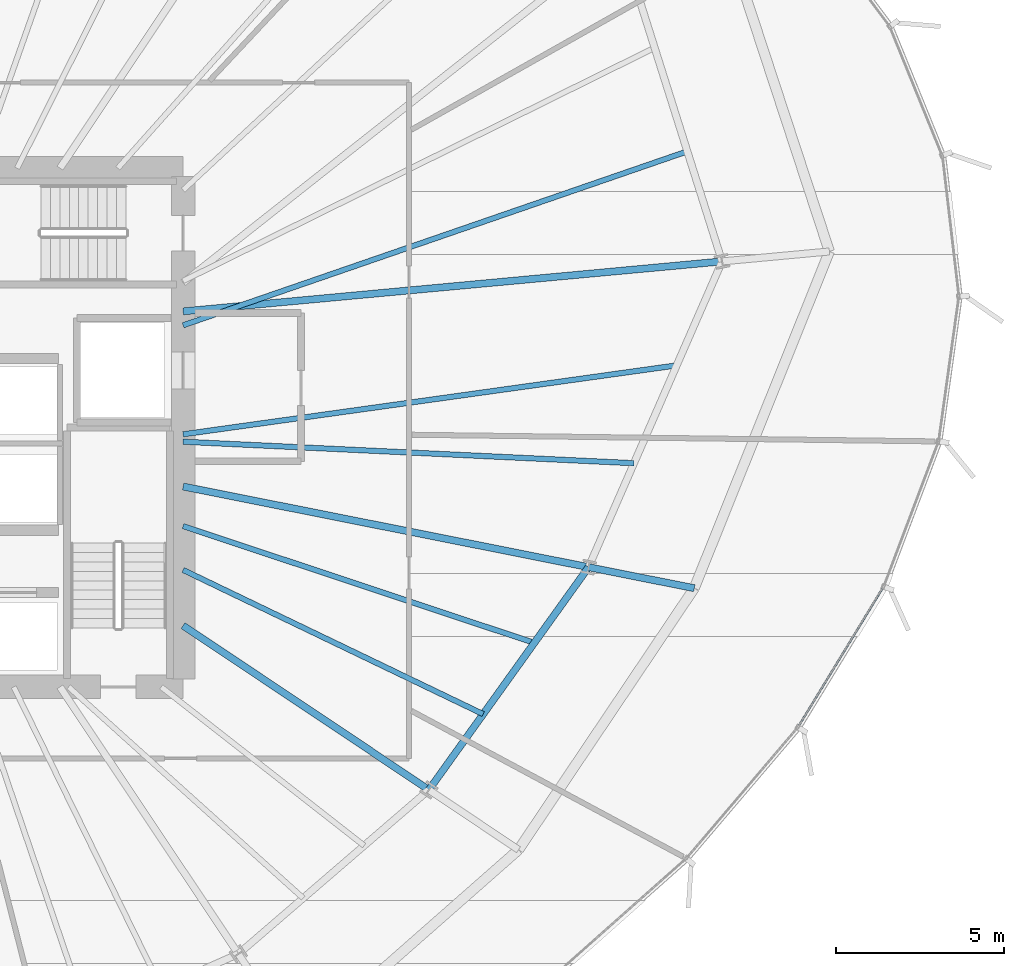
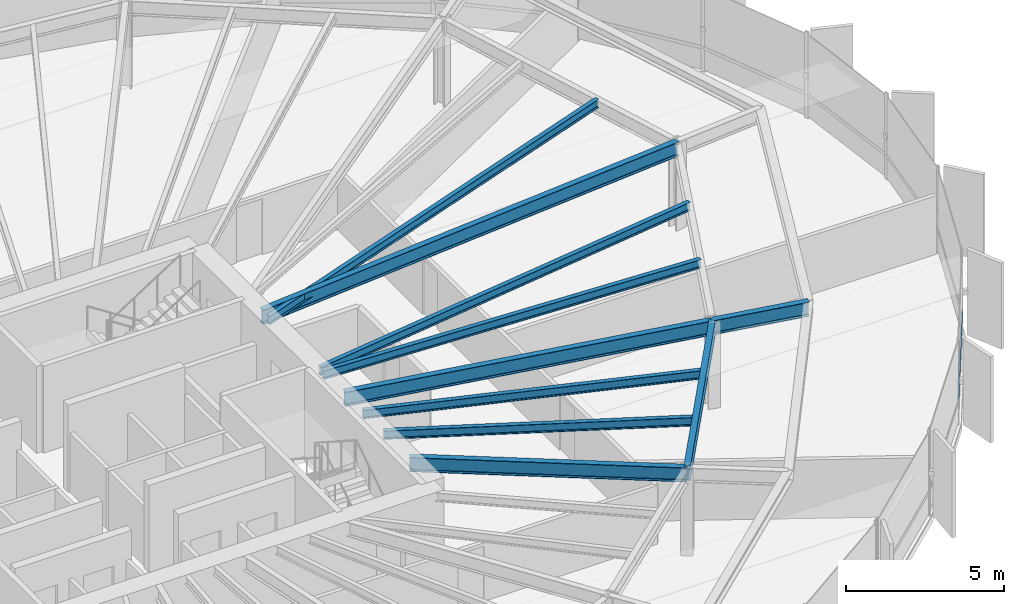
# One storey, part 14 of 35: 10 beams, 1 member, 1 element without a shape of its own.
"""IFC4 building model written with IfcOpenShell, lengths in metres."""

from ifc_helpers import new_model, si_unit, direction, frame, origin, origin_2d, place, context, subcontext, project, spatial, hollow_rectangle, i_section, extrude, source, transform, mapped, material, layer, layer_set, material_profile, profile_set, type_object, element, aggregate, save


model = new_model("IFC4")

# Units and contexts
model_context = context("Model", 3, precision=1e-05, world=origin(), true_north=direction((0.0, 1.0)))
body_context = subcontext(model_context, "Body", "Model", "MODEL_VIEW")
ifc_project = project(units=[si_unit("LENGTHUNIT", "METRE"), si_unit("AREAUNIT", "SQUARE_METRE"), si_unit("VOLUMEUNIT", "CUBIC_METRE"), si_unit("PLANEANGLEUNIT", "RADIAN"), si_unit("MASSUNIT", "GRAM", prefix="KILO"), si_unit("THERMODYNAMICTEMPERATUREUNIT", "KELVIN")], contexts=[model_context])

# Site, building, storey
site_placement = place(None, origin())
site = spatial("IfcSite", under=ifc_project, at=site_placement, CompositionType="ELEMENT")
building_placement = place(site_placement, origin())
building = spatial("IfcBuilding", under=site, at=building_placement, Name="Kethvar Cultural Tower", CompositionType="ELEMENT")
storey_placement = place(building_placement, frame((0.0, 0.0, 92.800048828125)))
storey = spatial("IfcBuildingStorey", under=building, at=storey_placement, Name="L22", CompositionType="ELEMENT", Elevation=92.800048828125)

# Beams
ifc_material_1 = material(Name="Steel S355J2", Category="steel")
ifc_material_profile_1 = material_profile(ifc_material_1, i_section(OverallWidth=0.2099609375, OverallDepth=0.550048828125, WebThickness=0.010986328125, FlangeThickness=0.01708984375, FilletRadius=0.02392578125, at=origin_2d()), Name="Steel S355J2 — IPE550")
ifc_profile_set_1 = profile_set([ifc_material_profile_1], Name="Steel S355J2 — IPE550")
beam_type_1 = type_object("IfcBeamType", Name="BM-IPE550", PredefinedType="BEAM", material=ifc_profile_set_1)
shared_shape_1 = source(origin(), body_context, "Body", "SweptSolid", [
    extrude(i_section(OverallWidth=0.2099609375, OverallDepth=0.550048828125, WebThickness=0.010986328125, FlangeThickness=0.01708984375, FilletRadius=0.02392578125, at=origin_2d()), origin(), (0.0, 0.0, 1.0), 16.071044921875),
])
beam_1_placement = place(storey_placement, frame((55.60009765625, 31.25, 3.072998046875), z_axis=(0.995731009363, 0.092302529718, 0.0), x_axis=(-0.092302529718, 0.995731009363, 0.0)))
element("IfcBeam", 1, at=beam_1_placement, inside=storey, type_object=beam_type_1, Name="L22 Primary Radial Beam RB-01", PredefinedType="BEAM", context=body_context, shape_type="MappedRepresentation", body=[
    mapped(shared_shape_1, transform((0.0, 0.0, 0.0), scale=1.0)),
])
shared_shape_2 = source(origin(), body_context, "Body", "SweptSolid", [
    extrude(i_section(OverallWidth=0.2099609375, OverallDepth=0.550048828125, WebThickness=0.010986328125, FlangeThickness=0.01708984375, FilletRadius=0.02392578125, at=origin_2d()), origin(), (0.0, 0.0, 1.0), 3.199951171875),
])
beam_2_placement = place(storey_placement, frame((67.638671875, 23.65478515625, 3.072998046875), z_axis=(0.980785550224, -0.195088965533, 0.0), x_axis=(0.195088965533, 0.980785550224, 0.0)))
element("IfcBeam", 2, at=beam_2_placement, inside=storey, type_object=beam_type_1, Name="L22 Perimeter Cantilever Beam RC-16", PredefinedType="BEAM", context=body_context, shape_type="MappedRepresentation", body=[
    mapped(shared_shape_2, transform((0.0, 0.0, 0.0), scale=1.0)),
])
shared_shape_3 = source(origin(), body_context, "Body", "SweptSolid", [
    extrude(i_section(OverallWidth=0.2099609375, OverallDepth=0.550048828125, WebThickness=0.010986328125, FlangeThickness=0.01708984375, FilletRadius=0.02392578125, at=origin_2d()), origin(), (0.0, 0.0, 1.0), 8.77783203125),
])
beam_3_placement = place(storey_placement, frame((55.60009765625, 21.919921875, 3.072998046875), z_axis=(0.831472186778, -0.555566380026, 0.0), x_axis=(0.555566380026, 0.831472186778, 0.0)))
element("IfcBeam", 3, at=beam_3_placement, inside=storey, type_object=beam_type_1, Name="L22 Primary Radial Beam RB-15", PredefinedType="BEAM", context=body_context, shape_type="MappedRepresentation", body=[
    mapped(shared_shape_3, transform((0.0, 0.0, 0.0), scale=1.0)),
])
shared_shape_4 = source(origin(), body_context, "Body", "SweptSolid", [
    extrude(i_section(OverallWidth=0.2099609375, OverallDepth=0.550048828125, WebThickness=0.010986328125, FlangeThickness=0.01708984375, FilletRadius=0.02392578125, at=origin_2d()), origin(), (0.0, 0.0, 1.0), 12.2744140625),
])
beam_4_placement = place(storey_placement, frame((55.60009765625, 26.049560546875, 3.072998046875), z_axis=(0.980782878234, -0.195102398146, 0.0), x_axis=(0.195102398146, 0.980782878234, 0.0)))
element("IfcBeam", 4, at=beam_4_placement, inside=storey, type_object=beam_type_1, Name="L22 Primary Radial Beam RB-16", PredefinedType="BEAM", context=body_context, shape_type="MappedRepresentation", body=[
    mapped(shared_shape_4, transform((0.0, 0.0, 0.0), scale=1.0)),
])
ifc_material_profile_2 = material_profile(ifc_material_1, i_section(OverallWidth=0.159912109375, OverallDepth=0.330078125, WebThickness=0.007568359375, FlangeThickness=0.011474609375, FilletRadius=0.01806640625, at=origin_2d()), Name="Steel S355J2 — IPE330")
ifc_profile_set_2 = profile_set([ifc_material_profile_2], Name="Steel S355J2 — IPE330")
beam_type_2 = type_object("IfcBeamType", Name="BM-J330", PredefinedType="JOIST", material=ifc_profile_set_2)
shared_shape_5 = source(origin(), body_context, "Body", "SweptSolid", [
    extrude(i_section(OverallWidth=0.159912109375, OverallDepth=0.330078125, WebThickness=0.007568359375, FlangeThickness=0.011474609375, FilletRadius=0.01806640625, at=origin_2d()), origin(), (0.0, 0.0, 1.0), 15.836669921875),
])
beam_5_placement = place(storey_placement, frame((55.60009765625, 30.836181640625, 3.182861328125), z_axis=(0.945315135904, 0.326158387644, 0.0), x_axis=(-0.326158387644, 0.945315135904, 0.0)))
element("IfcBeam", 5, at=beam_5_placement, inside=storey, type_object=beam_type_2, Name="L22 Composite Floor Joist J-01A", PredefinedType="JOIST", context=body_context, shape_type="MappedRepresentation", body=[
    mapped(shared_shape_5, transform((0.0, 0.0, 0.0), scale=1.0)),
])
shared_shape_6 = source(origin(), body_context, "Body", "SweptSolid", [
    extrude(i_section(OverallWidth=0.2099609375, OverallDepth=0.550048828125, WebThickness=0.010986328125, FlangeThickness=0.01708984375, FilletRadius=0.02392578125, at=origin_2d()), origin(), (0.0, 0.0, 1.0), 8.13525390625),
])
beam_6_placement = place(storey_placement, frame((62.898681640625, 17.043212890625, 3.072998046875), z_axis=(0.582656731995, 0.812718359988, 0.0), x_axis=(-0.812718359988, 0.582656731995, 0.0)))
element("IfcBeam", 6, at=beam_6_placement, inside=storey, type_object=beam_type_1, Name="L22 Column Ring Tie Beam CR-15", PredefinedType="BEAM", context=body_context, shape_type="MappedRepresentation", body=[
    mapped(shared_shape_6, transform((0.0, 0.0, 0.0), scale=1.0)),
])
shared_shape_7 = source(origin(), body_context, "Body", "SweptSolid", [
    extrude(i_section(OverallWidth=0.159912109375, OverallDepth=0.330078125, WebThickness=0.007568359375, FlangeThickness=0.011474609375, FilletRadius=0.01806640625, at=origin_2d()), origin(), (0.0, 0.0, 1.0), 9.885009765625),
])
beam_7_placement = place(storey_placement, frame((55.60009765625, 23.572021484375, 3.182861328125), z_axis=(0.901369611334, -0.43305060185, 0.0), x_axis=(0.43305060185, 0.901369611334, 0.0)))
element("IfcBeam", 7, at=beam_7_placement, inside=storey, type_object=beam_type_2, Name="L22 Composite Floor Joist J-15A", PredefinedType="JOIST", context=body_context, shape_type="MappedRepresentation", body=[
    mapped(shared_shape_7, transform((0.0, 0.0, 0.0), scale=1.0)),
])
shared_shape_8 = source(origin(), body_context, "Body", "SweptSolid", [
    extrude(i_section(OverallWidth=0.159912109375, OverallDepth=0.330078125, WebThickness=0.007568359375, FlangeThickness=0.011474609375, FilletRadius=0.01806640625, at=origin_2d()), origin(), (0.0, 0.0, 1.0), 10.98828125),
])
beam_8_placement = place(storey_placement, frame((55.60009765625, 24.8740234375, 3.182861328125), z_axis=(0.948918548228, -0.315521138481, 0.0), x_axis=(0.315521138481, 0.948918548228, 0.0)))
element("IfcBeam", 8, at=beam_8_placement, inside=storey, type_object=beam_type_2, Name="L22 Composite Floor Joist J-15B", PredefinedType="JOIST", context=body_context, shape_type="MappedRepresentation", body=[
    mapped(shared_shape_8, transform((0.0, 0.0, 0.0), scale=1.0)),
])
shared_shape_9 = source(origin(), body_context, "Body", "SweptSolid", [
    extrude(i_section(OverallWidth=0.159912109375, OverallDepth=0.330078125, WebThickness=0.007568359375, FlangeThickness=0.011474609375, FilletRadius=0.01806640625, at=origin_2d()), origin(), (0.0, 0.0, 1.0), 13.4013671875),
])
beam_9_placement = place(storey_placement, frame((55.60009765625, 27.380126953125, 3.182861328125), z_axis=(0.998864631653, -0.047638719894, 0.0), x_axis=(0.047638719894, 0.998864631653, 0.0)))
element("IfcBeam", 9, at=beam_9_placement, inside=storey, type_object=beam_type_2, Name="L22 Composite Floor Joist J-16A", PredefinedType="JOIST", context=body_context, shape_type="MappedRepresentation", body=[
    mapped(shared_shape_9, transform((0.0, 0.0, 0.0), scale=1.0)),
])
shared_shape_10 = source(origin(), body_context, "Body", "SweptSolid", [
    extrude(i_section(OverallWidth=0.159912109375, OverallDepth=0.330078125, WebThickness=0.007568359375, FlangeThickness=0.011474609375, FilletRadius=0.01806640625, at=origin_2d()), origin(), (0.0, 0.0, 1.0), 14.797119140625),
])
beam_10_placement = place(storey_placement, frame((55.60009765625, 27.60009765625, 3.182861328125), z_axis=(0.990388450305, 0.138313836986, 0.0), x_axis=(-0.138313836986, 0.990388450305, 0.0)))
element("IfcBeam", 10, at=beam_10_placement, inside=storey, type_object=beam_type_2, Name="L22 Composite Floor Joist J-16B", PredefinedType="JOIST", context=body_context, shape_type="MappedRepresentation", body=[
    mapped(shared_shape_10, transform((0.0, 0.0, 0.0), scale=1.0)),
])

# Curtain wall, member
ifc_material_2 = material(Name="Aluminium 6063-T6", Category="aluminium")
ifc_layer = layer(ifc_material_2, 0.179931640625, Name="Aluminium 6063-T6", Category="aluminium")
ifc_layer_set = layer_set([ifc_layer], Name="Aluminium 6063-T6 (180 mm)")
curtain_wall_type = type_object("IfcCurtainWallType", Name="CW-SYS-03-Z2", PredefinedType="NOTDEFINED", material=ifc_layer_set)
curtain_wall_placement = place(storey_placement, origin())
curtain_wall = element("IfcCurtainWall", 11, at=curtain_wall_placement, inside=storey, type_object=curtain_wall_type, Name="L22 Curtain Wall Run 06", PredefinedType="NOTDEFINED")
ifc_material_profile_3 = material_profile(ifc_material_2, hollow_rectangle(XDim=0.054931640625, YDim=0.1201171875, WallThickness=0.00390625, at=origin_2d()), Name="Aluminium 6063-T6 — RHS120x55x4")
ifc_profile_set_3 = profile_set([ifc_material_profile_3], Name="Aluminium 6063-T6 — RHS120x55x4")
member_type = type_object("IfcMemberType", Name="CW-SYS-03-Z2-TRN", PredefinedType="USERDEFINED", material=ifc_profile_set_3)
shared_shape_11 = source(origin(), body_context, "Body", "SweptSolid", [
    extrude(hollow_rectangle(XDim=0.054931640625, YDim=0.1201171875, WallThickness=0.00390625, at=origin_2d()), origin(), (0.0, 0.0, 1.0), 4.82470703125),
])
member_placement = place(storey_placement, frame((73.877197265625, 18.939697265625, 0.949951171875), z_axis=(0.520147599372, 0.854076387022, 0.0), x_axis=(-0.854076387022, 0.520147599372, 0.0)))
member = element("IfcMember", 12, at=member_placement, type_object=member_type, Name="CW-L22-R06 Transom 3", ObjectType="TRANSOM", PredefinedType="USERDEFINED", context=body_context, shape_type="MappedRepresentation", body=[
    mapped(shared_shape_11, transform((0.0, 0.0, 0.0), scale=1.0)),
])
aggregate(curtain_wall, [member])

save(model, "model.ifc")
